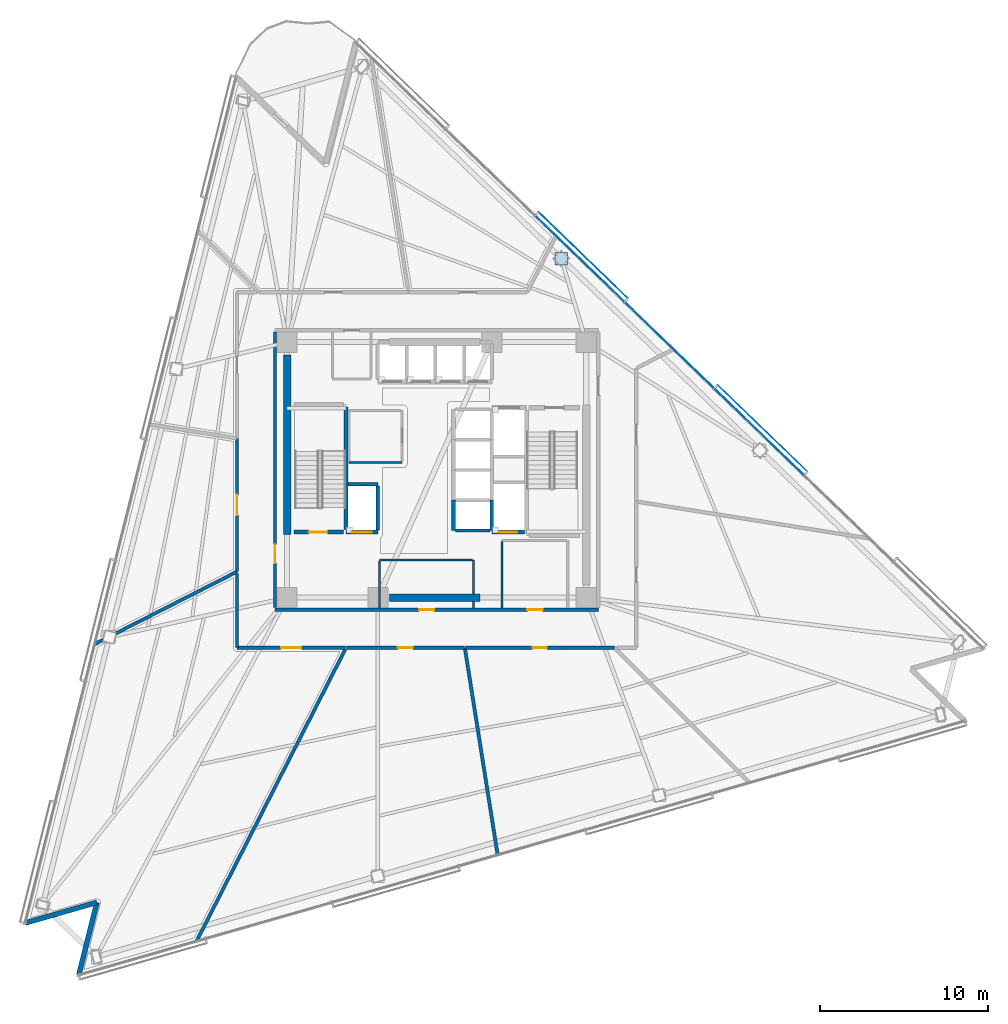
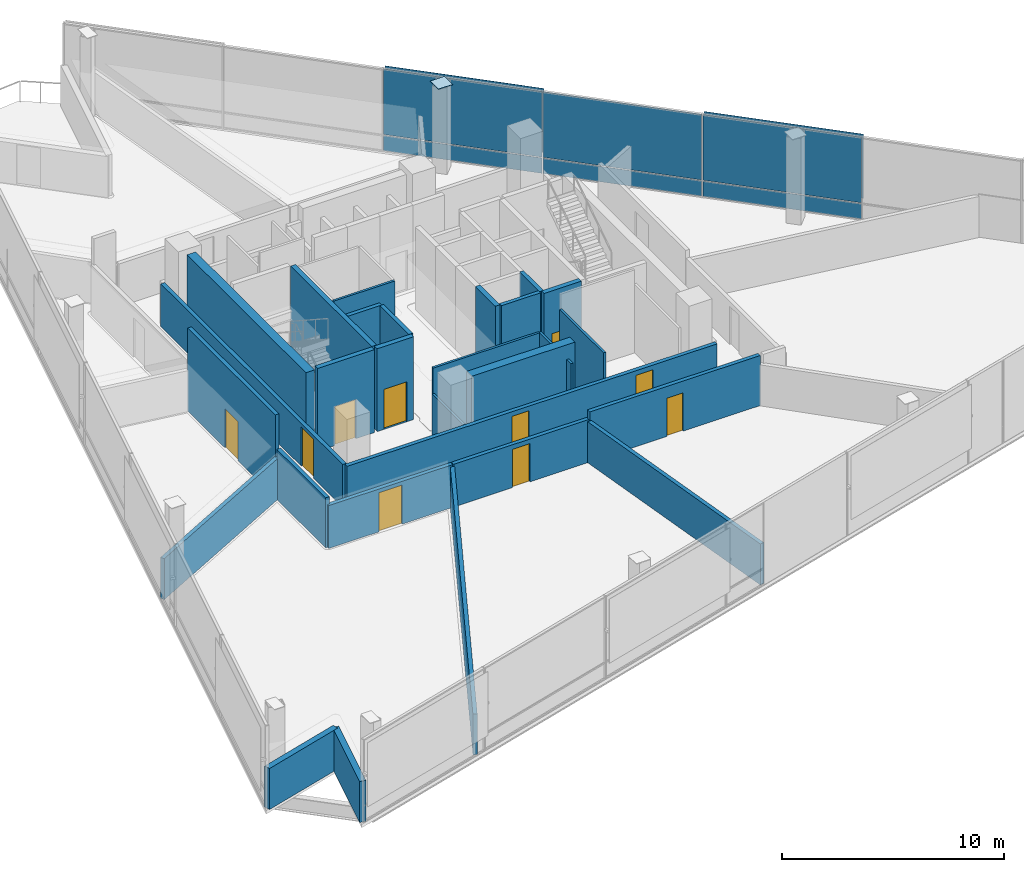
# One storey, part 9 of 18: 29 walls, 10 doors, 9 plates, 10 openings, 1 element without a shape of its own.
"""IFC4 building model written with IfcOpenShell, lengths in metres."""

from ifc_helpers import new_model, si_unit, direction, frame, frame_2d, origin, origin_2d, place, context, subcontext, project, spatial, rectangle, extrude, material, layer, layer_set, type_object, element, fill, aggregate, save


model = new_model("IFC4")

# Units and contexts
model_context = context("Model", 3, precision=1e-05, world=origin(), true_north=direction((0.0, 1.0)))
body_context = subcontext(model_context, "Body", "Model", "MODEL_VIEW")
ifc_project = project(units=[si_unit("LENGTHUNIT", "METRE"), si_unit("AREAUNIT", "SQUARE_METRE"), si_unit("VOLUMEUNIT", "CUBIC_METRE"), si_unit("PLANEANGLEUNIT", "RADIAN"), si_unit("MASSUNIT", "GRAM", prefix="KILO")], contexts=[model_context])

# Site, building, storey
site_placement = place(None, origin())
site = spatial("IfcSite", under=ifc_project, at=site_placement, CompositionType="ELEMENT")
building_placement = place(site_placement, origin())
building = spatial("IfcBuilding", under=site, at=building_placement, Name="Tharavind Bronze Gate", CompositionType="ELEMENT")
storey_placement = place(building_placement, frame((0.0, 0.0, 107.699951171875)))
storey = spatial("IfcBuildingStorey", under=building, at=storey_placement, Name="L27", CompositionType="ELEMENT", Elevation=107.699951171875)

# Plates
ifc_material_1 = material(Name="Perforated Bronze Alloy", Category="bronze")
ifc_layer_1 = layer(ifc_material_1, 0.011962890625)
ifc_layer_set_1 = layer_set([ifc_layer_1], Name="Perforated Bronze Alloy")
plate_type_1 = type_object("IfcPlateType", Name="BRONZE PERFORATED SOLAR SCREEN", PredefinedType="USERDEFINED", material=ifc_layer_set_1)
for number, where, z_axis, x_axis, name in (
    (1, (19.384521484375, 2.469482421875, 0.96630859375), (0.0, 0.0, 1.0), (-0.719341012745, 0.694657114973, 0.0), "CW-L27-S3 perforated bronze solar screen 3"),
    (2, (8.718017578125, 12.770263671875, 0.96630859375), (0.0, 0.0, 1.0), (-0.719341012745, 0.694657114973, 0.0), "CW-L27-S3 perforated bronze solar screen 5"),
):
    element("IfcPlate", number, at=place(storey_placement, frame(where, z_axis=z_axis, x_axis=x_axis)), inside=storey, type_object=plate_type_1, Name=name, ObjectType="SCREEN", PredefinedType="USERDEFINED", context=body_context, shape_type="SweptSolid", body=[
        extrude(rectangle(XDim=7.394287109375, YDim=0.011962890625, at=origin_2d()), origin(), (0.0, 0.0, 1.0), 3.527099609375),
    ])

# Curtain wall, plates
ifc_material_2 = material(Name="Anodised Bronze Aluminium", Category="aluminium")
ifc_layer_2 = layer(ifc_material_2, 0.219970703125)
ifc_layer_set_2 = layer_set([ifc_layer_2], Name="Anodised Bronze Aluminium")
curtain_wall_type = type_object("IfcCurtainWallType", Name="UNITISED CURTAIN WALL LOWER OFFICE", PredefinedType="USERDEFINED", material=ifc_layer_set_2)
curtain_wall_placement = place(storey_placement, origin())
curtain_wall = element("IfcCurtainWall", 3, at=curtain_wall_placement, inside=storey, type_object=curtain_wall_type, Name="L27 unitised curtain wall lower office CW-L27-S3", ObjectType="UNITISED CURTAIN WALL", PredefinedType="USERDEFINED")
ifc_material_3 = material(Name="Patinated Bronze Alloy Sheet", Category="bronze")
ifc_layer_3 = layer(ifc_material_3, 0.01611328125)
ifc_layer_set_3 = layer_set([ifc_layer_3], Name="Patinated Bronze Alloy Sheet")
plate_type_2 = type_object("IfcPlateType", Name="BRONZE SPANDREL CLADDING PANEL 16", PredefinedType="CURTAIN_PANEL", material=ifc_layer_set_3)
plate_1_placement = place(storey_placement, frame((19.1796875, 2.25732421875, 0.0263671875), z_axis=(0.0, 0.0, 1.0), x_axis=(-0.719341012745, 0.694657114973, 0.0)))
plate_1 = element("IfcPlate", 4, at=plate_1_placement, type_object=plate_type_2, Name="CW-L27-S3 bronze spandrel panel 3", PredefinedType="CURTAIN_PANEL", context=body_context, shape_type="SweptSolid", body=[
    extrude(rectangle(XDim=7.361083984375, YDim=0.01611328125, at=origin_2d()), origin(), (0.0, 0.0, 1.0), 0.846923828125),
])
plate_2_placement = place(storey_placement, frame((13.84619140625, 7.40771484375, 0.0263671875), z_axis=(0.0, 0.0, 1.0), x_axis=(-0.719341012745, 0.694657114973, 0.0)))
plate_2 = element("IfcPlate", 5, at=plate_2_placement, type_object=plate_type_2, Name="CW-L27-S3 bronze spandrel panel 4", PredefinedType="CURTAIN_PANEL", context=body_context, shape_type="SweptSolid", body=[
    extrude(rectangle(XDim=7.361083984375, YDim=0.01611328125, at=origin_2d()), origin(), (0.0, 0.0, 1.0), 0.846923828125),
])
plate_3_placement = place(storey_placement, frame((8.512939453125, 12.55810546875, 0.0263671875), z_axis=(0.0, 0.0, 1.0), x_axis=(-0.719341012745, 0.694657114973, 0.0)))
plate_3 = element("IfcPlate", 6, at=plate_3_placement, type_object=plate_type_2, Name="CW-L27-S3 bronze spandrel panel 5", PredefinedType="CURTAIN_PANEL", context=body_context, shape_type="SweptSolid", body=[
    extrude(rectangle(XDim=7.361083984375, YDim=0.01611328125, at=origin_2d()), origin(), (0.0, 0.0, 1.0), 0.846923828125),
])
ifc_material_4 = material(Name="Low-E Double Glazing", Category="glass")
ifc_layer_4 = layer(ifc_material_4, 0.031982421875)
ifc_layer_set_4 = layer_set([ifc_layer_4], Name="Low-E Double Glazing")
plate_type_3 = type_object("IfcPlateType", Name="DOUBLE GLAZED FACADE PANEL 32", PredefinedType="CURTAIN_PANEL", material=ifc_layer_set_4)
plate_4_placement = place(storey_placement, frame((19.1796875, 2.25732421875, 0.926513671875), z_axis=(0.0, 0.0, 1.0), x_axis=(-0.719341012745, 0.694657114973, 0.0)))
plate_4 = element("IfcPlate", 7, at=plate_4_placement, type_object=plate_type_3, Name="CW-L27-S3 vision glazing panel 3", PredefinedType="CURTAIN_PANEL", context=body_context, shape_type="SweptSolid", body=[
    extrude(rectangle(XDim=7.361083984375, YDim=0.031982421875, at=origin_2d()), origin(), (0.0, 0.0, 1.0), 3.60693359375),
])
plate_5_placement = place(storey_placement, frame((13.84619140625, 7.40771484375, 0.926513671875), z_axis=(0.0, 0.0, 1.0), x_axis=(-0.719341012745, 0.694657114973, 0.0)))
plate_5 = element("IfcPlate", 8, at=plate_5_placement, type_object=plate_type_3, Name="CW-L27-S3 vision glazing panel 4", PredefinedType="CURTAIN_PANEL", context=body_context, shape_type="SweptSolid", body=[
    extrude(rectangle(XDim=7.361083984375, YDim=0.031982421875, at=origin_2d()), origin(), (0.0, 0.0, 1.0), 3.60693359375),
])
plate_6_placement = place(storey_placement, frame((8.512939453125, 12.55810546875, 0.926513671875), z_axis=(0.0, 0.0, 1.0), x_axis=(-0.719341012745, 0.694657114973, 0.0)))
plate_6 = element("IfcPlate", 9, at=plate_6_placement, type_object=plate_type_3, Name="CW-L27-S3 vision glazing panel 5", PredefinedType="CURTAIN_PANEL", context=body_context, shape_type="SweptSolid", body=[
    extrude(rectangle(XDim=7.361083984375, YDim=0.031982421875, at=origin_2d()), origin(), (0.0, 0.0, 1.0), 3.60693359375),
])
aggregate(curtain_wall, [plate_1, plate_4, plate_2, plate_5, plate_3, plate_6])

# Plate
ifc_material_5 = material(Name="Steel S460", Category="steel")
ifc_layer_5 = layer(ifc_material_5, 0.02490234375)
ifc_layer_set_5 = layer_set([ifc_layer_5], Name="Steel S460")
plate_type_4 = type_object("IfcPlateType", Name="STEEL END CAP SHEET 25", PredefinedType="SHEET", material=ifc_layer_set_5)
plate_7_placement = place(storey_placement, frame((7.41455078125, 12.576171875, 4.737548828125), z_axis=(0.0, 0.0, 1.0), x_axis=(1.0, 0.0, 0.0)))
element("IfcPlate", 10, at=plate_7_placement, inside=storey, type_object=plate_type_4, Name="Steel end cap plate CAP-COLT-L27-S3C3", PredefinedType="SHEET", context=body_context, shape_type="SweptSolid", body=[
    extrude(rectangle(XDim=0.7451171875, YDim=0.7451171875, at=origin_2d()), origin(), (0.0, 0.0, 1.0), 0.02490234375),
])

# Walls
ifc_material_6 = material(Name="Concrete C40/50", Category="concrete")
ifc_layer_6 = layer(ifc_material_6, 0.300048828125)
ifc_layer_set_6 = layer_set([ifc_layer_6], Name="Concrete C40/50")
wall_type_1 = type_object("IfcWallType", Name="EXTERIOR SPANDREL WALL 300", PredefinedType="STANDARD", material=ifc_layer_set_6)
wall_1_placement = place(storey_placement, frame((-24.4892578125, -26.963623046875, 0.0), z_axis=(0.0, 0.0, 1.0), x_axis=(0.961259988927, 0.275643308803, 0.0)))
element("IfcWall", 11, at=wall_1_placement, inside=storey, type_object=wall_type_1, Name="L27 notch cheek wall 2A", PredefinedType="STANDARD", context=body_context, shape_type="SweptSolid", body=[
    extrude(rectangle(XDim=4.440185546875, YDim=0.300048828125, at=frame_2d((2.22021484375, 0.0))), origin(), (0.0, 0.0, 1.0), 2.255126953125),
])
wall_2_placement = place(storey_placement, frame((-20.22119140625, -25.73974609375, 0.0), z_axis=(0.0, 0.0, 1.0), x_axis=(-0.241940431812, -0.970291104491, 0.0)))
element("IfcWall", 12, at=wall_2_placement, inside=storey, type_object=wall_type_1, Name="L27 notch cheek wall 2B", PredefinedType="STANDARD", context=body_context, shape_type="SweptSolid", body=[
    extrude(rectangle(XDim=4.43994140625, YDim=0.300048828125, at=frame_2d((2.219970703125, 0.0))), origin(), (0.0, 0.0, 1.0), 2.255126953125),
])

# Wall, openings, doors
ifc_material_7 = material(Name="Aerated Concrete Block", Category="concrete")
ifc_layer_7 = layer(ifc_material_7, 0.199951171875)
ifc_layer_set_7 = layer_set([ifc_layer_7], Name="Aerated Concrete Block")
wall_type_2 = type_object("IfcWallType", Name="FIRE RATED PARTITION 200", PredefinedType="PARTITIONING", material=ifc_layer_set_7)
wall_3_placement = place(storey_placement, frame((-9.6201171875, -8.320068359375, 0.0), z_axis=(0.0, 0.0, 1.0), x_axis=(1.0, 0.0, 0.0)))
wall_3 = element("IfcWall", 13, at=wall_3_placement, inside=storey, type_object=wall_type_2, Name="L27 south core corridor wall", PredefinedType="PARTITIONING", context=body_context, shape_type="SweptSolid", body=[
    extrude(rectangle(XDim=19.240234375, YDim=0.199951171875, at=frame_2d((9.6201171875, 0.0))), origin(), (0.0, 0.0, 1.0), 2.35498046875),
])
opening_1_placement = place(wall_3_placement, frame((8.570068359375, 0.0, 0.0)))
opening_1 = element("IfcOpeningElement", 14, at=opening_1_placement, cuts=wall_3, Name="Opening ID07", PredefinedType="OPENING", context=body_context, shape_type="SweptSolid", body=[
    extrude(rectangle(XDim=0.89990234375, YDim=2.10009765625, at=frame_2d((0.449951171875, 1.050048828125))), frame((0.0, 0.11009765625, 0.0), z_axis=(0.0, -1.0, 0.0), x_axis=(1.0, 0.0, 0.0)), (0.0, 0.0, 1.0), 0.219951171875),
])
opening_2_placement = place(wall_3_placement, frame((15.02001953125, 0.0, 0.0)))
opening_2 = element("IfcOpeningElement", 15, at=opening_2_placement, cuts=wall_3, Name="Opening ID07", PredefinedType="OPENING", context=body_context, shape_type="SweptSolid", body=[
    extrude(rectangle(XDim=0.89990234375, YDim=2.10009765625, at=frame_2d((0.449951171875, 1.050048828125))), frame((0.0, 0.11009765625, 0.0), z_axis=(0.0, -1.0, 0.0), x_axis=(1.0, 0.0, 0.0)), (0.0, 0.0, 1.0), 0.219951171875),
])
ifc_material_8 = material(Name="Galvanised Fire Steel", Category="steel")
door_type_1 = type_object("IfcDoorType", Name="PLANT AND RISER FIRE DOOR 900X2100", OperationType="SINGLE_SWING_LEFT", PredefinedType="DOOR", material=ifc_material_8)
door_1_placement = place(opening_1_placement, origin())
door_1 = element("IfcDoor", 16, at=door_1_placement, inside=storey, type_object=door_type_1, Name="L27 Core BMS Control Room fire door", OperationType="SINGLE_SWING_LEFT", OverallHeight=2.10009765625, OverallWidth=0.89990234375, PredefinedType="DOOR", context=body_context, shape_type="SweptSolid", body=[
    extrude(rectangle(XDim=0.89990234375, YDim=2.10009765625, at=frame_2d((0.449951171875, 1.050048828125))), frame((0.0, 0.02490234375, 0.0), z_axis=(0.0, -1.0, 0.0), x_axis=(1.0, 0.0, 0.0)), (0.0, 0.0, 1.0), 0.050048828125),
])
fill(opening_1, door_1)
door_2_placement = place(opening_2_placement, origin())
door_2 = element("IfcDoor", 17, at=door_2_placement, inside=storey, type_object=door_type_1, Name="L27 Telecom Metering Room fire door", OperationType="SINGLE_SWING_LEFT", OverallHeight=2.10009765625, OverallWidth=0.89990234375, PredefinedType="DOOR", context=body_context, shape_type="SweptSolid", body=[
    extrude(rectangle(XDim=0.89990234375, YDim=2.10009765625, at=frame_2d((0.449951171875, 1.050048828125))), frame((0.0, 0.02490234375, 0.0), z_axis=(0.0, -1.0, 0.0), x_axis=(1.0, 0.0, 0.0)), (0.0, 0.0, 1.0), 0.050048828125),
])
fill(opening_2, door_2)

# Wall, opening, door
wall_4_placement = place(storey_placement, frame((-9.6201171875, 8.199951171875, 0.0), z_axis=(0.0, 0.0, 1.0), x_axis=(0.0, -1.0, 0.0)))
wall_4 = element("IfcWall", 18, at=wall_4_placement, inside=storey, type_object=wall_type_2, Name="L27 west core corridor wall", PredefinedType="PARTITIONING", context=body_context, shape_type="SweptSolid", body=[
    extrude(rectangle(XDim=16.39990234375, YDim=0.199951171875, at=frame_2d((8.199951171875, 0.0))), origin(), (0.0, 0.0, 1.0), 2.35498046875),
])
opening_3_placement = place(wall_4_placement, frame((12.64990234375, 0.0, 0.0)))
opening_3 = element("IfcOpeningElement", 19, at=opening_3_placement, cuts=wall_4, Name="Opening ID01", PredefinedType="OPENING", context=body_context, shape_type="SweptSolid", body=[
    extrude(rectangle(XDim=1.10009765625, YDim=2.14990234375, at=frame_2d((0.550048828125, 1.074951171875))), frame((0.0, 0.11009765625, 0.0), z_axis=(0.0, -1.0, 0.0), x_axis=(1.0, 0.0, 0.0)), (0.0, 0.0, 1.0), 0.219951171875),
])
ifc_material_9 = material(Name="Fire-Rated Steel", Category="steel")
door_type_2 = type_object("IfcDoorType", Name="STAIR CORE FIRE DOOR 1100X2150", OperationType="SINGLE_SWING_LEFT", PredefinedType="DOOR", material=ifc_material_9)
door_3_placement = place(opening_3_placement, frame((1.10009765625, 0.0, 0.0), z_axis=(0.0, 0.0, 1.0), x_axis=(-1.0, 0.0, 0.0)))
door_3 = element("IfcDoor", 20, at=door_3_placement, inside=storey, type_object=door_type_2, Name="L27 south west stair lobby fire door", OperationType="SINGLE_SWING_LEFT", OverallHeight=2.14990234375, OverallWidth=1.10009765625, PredefinedType="DOOR", context=body_context, shape_type="SweptSolid", body=[
    extrude(rectangle(XDim=1.10009765625, YDim=2.14990234375, at=frame_2d((0.550048828125, 1.074951171875))), frame((0.0, 0.02490234375, 0.0), z_axis=(0.0, -1.0, 0.0), x_axis=(1.0, 0.0, 0.0)), (0.0, 0.0, 1.0), 0.050048828125),
])
fill(opening_3, door_3)

# Wall
wall_5_placement = place(storey_placement, frame((3.622802734375, -22.873291015625, 0.0), z_axis=(0.0, 0.0, 1.0), x_axis=(-0.156425980471, 0.987689684382, 0.0)))
element("IfcWall", 21, at=wall_5_placement, inside=storey, type_object=wall_type_2, Name="L27 Public Restrooms Block partition", PredefinedType="PARTITIONING", context=body_context, shape_type="SweptSolid", body=[
    extrude(rectangle(XDim=12.417236328125, YDim=0.199951171875, at=frame_2d((6.20849609375, 0.0))), origin(), (0.0, 0.0, 1.0), 2.255126953125),
])

# Wall, opening, door
wall_6_placement = place(storey_placement, frame((1.705078125, -10.580078125, 0.0), z_axis=(0.0, 0.0, 1.0), x_axis=(1.0, 0.0, 0.0)))
wall_6 = element("IfcWall", 22, at=wall_6_placement, inside=storey, type_object=wall_type_2, Name="L27 Public Restrooms Block partition", PredefinedType="PARTITIONING", context=body_context, shape_type="SweptSolid", body=[
    extrude(rectangle(XDim=8.864501953125, YDim=0.199951171875, at=frame_2d((4.43212890625, 0.0))), origin(), (0.0, 0.0, 1.0), 2.755126953125),
])
opening_4_placement = place(wall_6_placement, frame((4.007080078125, 0.0, 0.0)))
opening_4 = element("IfcOpeningElement", 23, at=opening_4_placement, cuts=wall_6, Name="Opening ID06", PredefinedType="OPENING", context=body_context, shape_type="SweptSolid", body=[
    extrude(rectangle(XDim=0.85009765625, YDim=2.10009765625, at=frame_2d((0.425048828125, 1.050048828125))), frame((0.0, 0.11009765625, 0.0), z_axis=(0.0, -1.0, 0.0), x_axis=(1.0, 0.0, 0.0)), (0.0, 0.0, 1.0), 0.219951171875),
])
ifc_material_10 = material(Name="Moisture-Resistant Timber", Category="wood")
door_type_3 = type_object("IfcDoorType", Name="BATHROOM PRIVACY DOOR 850X2100", OperationType="SINGLE_SWING_RIGHT", PredefinedType="DOOR", material=ifc_material_10)
door_4_placement = place(opening_4_placement, origin())
door_4 = element("IfcDoor", 24, at=door_4_placement, inside=storey, type_object=door_type_3, Name="L27 Public Restrooms Block door", OperationType="SINGLE_SWING_RIGHT", OverallHeight=2.10009765625, OverallWidth=0.85009765625, PredefinedType="DOOR", context=body_context, shape_type="SweptSolid", body=[
    extrude(rectangle(XDim=0.85009765625, YDim=2.10009765625, at=frame_2d((0.425048828125, 1.050048828125))), frame((0.0, 0.02490234375, 0.0), z_axis=(0.0, -1.0, 0.0), x_axis=(1.0, 0.0, 0.0)), (0.0, 0.0, 1.0), 0.050048828125),
])
fill(opening_4, door_4)

wall_7_placement = place(storey_placement, frame((-11.8798828125, 1.8603515625, 0.0), z_axis=(0.0, 0.0, 1.0), x_axis=(0.0, -1.0, 0.0)))
wall_7 = element("IfcWall", 25, at=wall_7_placement, inside=storey, type_object=wall_type_2, Name="L27 Risk Review Room partition", PredefinedType="PARTITIONING", context=body_context, shape_type="SweptSolid", body=[
    extrude(rectangle(XDim=7.898193359375, YDim=0.199951171875, at=frame_2d((3.94921875, 0.0))), origin(), (0.0, 0.0, 1.0), 4.56005859375),
])
opening_5_placement = place(wall_7_placement, frame((3.34912109375, 0.0, 0.0)))
opening_5 = element("IfcOpeningElement", 26, at=opening_5_placement, cuts=wall_7, Name="Opening ID05", PredefinedType="OPENING", context=body_context, shape_type="SweptSolid", body=[
    extrude(rectangle(XDim=1.199951171875, YDim=2.14990234375, at=frame_2d((0.60009765625, 1.074951171875))), frame((0.0, 0.11009765625, 0.0), z_axis=(0.0, -1.0, 0.0), x_axis=(1.0, 0.0, 0.0)), (0.0, 0.0, 1.0), 0.219951171875),
])
ifc_material_11 = material(Name="Acoustic Laminated Glass", Category="glass")
door_type_4 = type_object("IfcDoorType", Name="MEETING ROOM GLAZED DOOR 1200X2150", OperationType="SINGLE_SWING_LEFT", PredefinedType="DOOR", material=ifc_material_11)
door_5_placement = place(opening_5_placement, origin())
door_5 = element("IfcDoor", 27, at=door_5_placement, inside=storey, type_object=door_type_4, Name="L27 Risk Review Room door", OperationType="SINGLE_SWING_LEFT", OverallHeight=2.14990234375, OverallWidth=1.199951171875, PredefinedType="DOOR", context=body_context, shape_type="SweptSolid", body=[
    extrude(rectangle(XDim=1.199951171875, YDim=2.14990234375, at=frame_2d((0.60009765625, 1.074951171875))), frame((0.0, 0.02490234375, 0.0), z_axis=(0.0, -1.0, 0.0), x_axis=(1.0, 0.0, 0.0)), (0.0, 0.0, 1.0), 0.050048828125),
])
fill(opening_5, door_5)

# Walls
wall_8_placement = place(storey_placement, frame((-11.893798828125, -6.06005859375, 0.0), z_axis=(0.0, 0.0, 1.0), x_axis=(-0.891001418235, -0.454000520598, 0.0)))
element("IfcWall", 28, at=wall_8_placement, inside=storey, type_object=wall_type_2, Name="L27 Risk Review Room partition", PredefinedType="PARTITIONING", context=body_context, shape_type="SweptSolid", body=[
    extrude(rectangle(XDim=9.492919921875, YDim=0.199951171875, at=frame_2d((4.74658203125, 0.0))), origin(), (0.0, 0.0, 1.0), 2.255126953125),
])
wall_9_placement = place(storey_placement, frame((-11.8798828125, -6.1708984375, 0.0), z_axis=(0.0, 0.0, 1.0), x_axis=(0.0, -1.0, 0.0)))
element("IfcWall", 29, at=wall_9_placement, inside=storey, type_object=wall_type_2, Name="L27 Model Audit Room partition", PredefinedType="PARTITIONING", context=body_context, shape_type="SweptSolid", body=[
    extrude(rectangle(XDim=4.408447265625, YDim=0.199951171875, at=frame_2d((2.2041015625, 0.0))), origin(), (0.0, 0.0, 1.0), 2.755126953125),
])

# Wall, opening, door
wall_10_placement = place(storey_placement, frame((-11.87939453125, -10.580078125, 0.0), z_axis=(0.0, 0.0, 1.0), x_axis=(1.0, 0.0, 0.0)))
wall_10 = element("IfcWall", 30, at=wall_10_placement, inside=storey, type_object=wall_type_2, Name="L27 Model Audit Room partition", PredefinedType="PARTITIONING", context=body_context, shape_type="SweptSolid", body=[
    extrude(rectangle(XDim=6.44775390625, YDim=0.199951171875, at=frame_2d((3.223876953125, 0.0))), origin(), (0.0, 0.0, 1.0), 2.35498046875),
])
opening_6_placement = place(wall_10_placement, frame((2.6240234375, 0.0, 0.0)))
opening_6 = element("IfcOpeningElement", 31, at=opening_6_placement, cuts=wall_10, Name="Opening ID05", PredefinedType="OPENING", context=body_context, shape_type="SweptSolid", body=[
    extrude(rectangle(XDim=1.199951171875, YDim=2.14990234375, at=frame_2d((0.60009765625, 1.074951171875))), frame((0.0, 0.11009765625, 0.0), z_axis=(0.0, -1.0, 0.0), x_axis=(1.0, 0.0, 0.0)), (0.0, 0.0, 1.0), 0.219951171875),
])
door_6_placement = place(opening_6_placement, origin())
door_6 = element("IfcDoor", 32, at=door_6_placement, inside=storey, type_object=door_type_4, Name="L27 Model Audit Room door", OperationType="SINGLE_SWING_LEFT", OverallHeight=2.14990234375, OverallWidth=1.199951171875, PredefinedType="DOOR", context=body_context, shape_type="SweptSolid", body=[
    extrude(rectangle(XDim=1.199951171875, YDim=2.14990234375, at=frame_2d((0.60009765625, 1.074951171875))), frame((0.0, 0.02490234375, 0.0), z_axis=(0.0, -1.0, 0.0), x_axis=(1.0, 0.0, 0.0)), (0.0, 0.0, 1.0), 0.050048828125),
])
fill(opening_6, door_6)

# Wall
wall_11_placement = place(storey_placement, frame((-5.4443359375, -10.68505859375, 0.0), z_axis=(0.0, 0.0, 1.0), x_axis=(-0.453983839292, -0.891009917824, 0.0)))
element("IfcWall", 33, at=wall_11_placement, inside=storey, type_object=wall_type_2, Name="L27 Model Audit Room partition", PredefinedType="PARTITIONING", context=body_context, shape_type="SweptSolid", body=[
    extrude(rectangle(XDim=19.46484375, YDim=0.199951171875, at=frame_2d((9.732421875, 0.0))), origin(), (0.0, 0.0, 1.0), 2.255126953125),
])

# Wall, opening, door
wall_12_placement = place(storey_placement, frame((-5.37548828125, -10.580078125, 0.0), z_axis=(0.0, 0.0, 1.0), x_axis=(1.0, 0.0, 0.0)))
wall_12 = element("IfcWall", 34, at=wall_12_placement, inside=storey, type_object=wall_type_2, Name="L27 Data Server Room partition", PredefinedType="PARTITIONING", context=body_context, shape_type="SweptSolid", body=[
    extrude(rectangle(XDim=7.02978515625, YDim=0.199951171875, at=frame_2d((3.514892578125, 0.0))), origin(), (0.0, 0.0, 1.0), 2.35498046875),
])
opening_7_placement = place(wall_12_placement, frame((3.06494140625, 0.0, 0.0)))
opening_7 = element("IfcOpeningElement", 35, at=opening_7_placement, cuts=wall_12, Name="Opening ID07", PredefinedType="OPENING", context=body_context, shape_type="SweptSolid", body=[
    extrude(rectangle(XDim=0.89990234375, YDim=2.10009765625, at=frame_2d((0.449951171875, 1.050048828125))), frame((0.0, 0.11009765625, 0.0), z_axis=(0.0, -1.0, 0.0), x_axis=(1.0, 0.0, 0.0)), (0.0, 0.0, 1.0), 0.219951171875),
])
door_7_placement = place(opening_7_placement, origin())
door_7 = element("IfcDoor", 36, at=door_7_placement, inside=storey, type_object=door_type_1, Name="L27 Data Server Room door", OperationType="SINGLE_SWING_LEFT", OverallHeight=2.10009765625, OverallWidth=0.89990234375, PredefinedType="DOOR", context=body_context, shape_type="SweptSolid", body=[
    extrude(rectangle(XDim=0.89990234375, YDim=2.10009765625, at=frame_2d((0.449951171875, 1.050048828125))), frame((0.0, 0.02490234375, 0.0), z_axis=(0.0, -1.0, 0.0), x_axis=(1.0, 0.0, 0.0)), (0.0, 0.0, 1.0), 0.050048828125),
])
fill(opening_7, door_7)

# Walls
ifc_material_12 = material(Name="Metal Stud Gypsum Partition", Category="gypsum")
ifc_layer_8 = layer(ifc_material_12, 0.1201171875)
ifc_layer_set_8 = layer_set([ifc_layer_8], Name="Metal Stud Gypsum Partition")
wall_type_3 = type_object("IfcWallType", Name="INTERIOR PARTITION WALL 120", PredefinedType="PARTITIONING", material=ifc_layer_set_8)
wall_13_placement = place(storey_placement, frame((-5.219970703125, 0.449951171875, 0.0), z_axis=(0.0, 0.0, 1.0), x_axis=(1.0, 0.0, 0.0)))
element("IfcWall", 37, at=wall_13_placement, inside=storey, type_object=wall_type_3, Name="L27 Electrical & Telecom Store partition 1", PredefinedType="PARTITIONING", context=body_context, shape_type="SweptSolid", body=[
    extrude(rectangle(XDim=3.169921875, YDim=0.1201171875, at=frame_2d((1.5849609375, 0.0))), origin(), (0.0, 0.0, 1.0), 4.56005859375),
])
wall_14_placement = place(storey_placement, frame((2.199951171875, -8.215087890625, 0.0), z_axis=(0.0, 0.0, 1.0), x_axis=(0.0, 1.0, 0.0)))
element("IfcWall", 38, at=wall_14_placement, inside=storey, type_object=wall_type_3, Name="L27 Core BMS Control Room partition 2", PredefinedType="PARTITIONING", context=body_context, shape_type="SweptSolid", body=[
    extrude(rectangle(XDim=0.385009765625, YDim=0.1201171875, at=frame_2d((0.1923828125, 0.0))), origin(), (0.0, 0.0, 1.0), 3.755126953125),
])
wall_15_placement = place(storey_placement, frame((2.199951171875, -7.3701171875, 0.0), z_axis=(0.0, 0.0, 1.0), x_axis=(0.0, 1.0, 0.0)))
element("IfcWall", 39, at=wall_15_placement, inside=storey, type_object=wall_type_3, Name="L27 Core BMS Control Room partition 2", PredefinedType="PARTITIONING", context=body_context, shape_type="SweptSolid", body=[
    extrude(rectangle(XDim=2.02001953125, YDim=0.1201171875, at=frame_2d((1.010009765625, 0.0))), origin(), (0.0, 0.0, 1.0), 3.755126953125),
])
wall_16_placement = place(storey_placement, frame((2.135009765625, -5.35009765625, 0.0), z_axis=(0.0, 0.0, 1.0), x_axis=(-1.0, 0.0, 0.0)))
element("IfcWall", 40, at=wall_16_placement, inside=storey, type_object=wall_type_3, Name="L27 Core BMS Control Room partition 3", PredefinedType="PARTITIONING", context=body_context, shape_type="SweptSolid", body=[
    extrude(rectangle(XDim=5.534912109375, YDim=0.1201171875, at=frame_2d((2.767578125, 0.0))), origin(), (0.0, 0.0, 1.0), 3.755126953125),
])
wall_17_placement = place(storey_placement, frame((-3.39990234375, -5.4150390625, 0.0), z_axis=(0.0, 0.0, 1.0), x_axis=(0.0, -1.0, 0.0)))
element("IfcWall", 41, at=wall_17_placement, inside=storey, type_object=wall_type_3, Name="L27 Core BMS Control Room partition 4", PredefinedType="PARTITIONING", context=body_context, shape_type="SweptSolid", body=[
    extrude(rectangle(XDim=2.800048828125, YDim=0.1201171875, at=frame_2d((1.39990234375, 0.0))), origin(), (0.0, 0.0, 1.0), 2.35498046875),
])
wall_18_placement = place(storey_placement, frame((3.89990234375, -4.264892578125, 0.0), z_axis=(0.0, 0.0, 1.0), x_axis=(0.0, -1.0, 0.0)))
element("IfcWall", 42, at=wall_18_placement, inside=storey, type_object=wall_type_3, Name="L27 Telecom Metering Room partition 4", PredefinedType="PARTITIONING", context=body_context, shape_type="SweptSolid", body=[
    extrude(rectangle(XDim=3.9501953125, YDim=0.1201171875, at=frame_2d((1.97509765625, 0.0))), origin(), (0.0, 0.0, 1.0), 3.755126953125),
])
ifc_material_13 = material(Name="Concrete C50/60", Category="concrete")
ifc_layer_9 = layer(ifc_material_13, 0.25)
ifc_layer_set_9 = layer_set([ifc_layer_9], Name="Concrete C50/60")
wall_type_4 = type_object("IfcWallType", Name="RC CORE SHEAR WALL 250", PredefinedType="SHEAR", material=ifc_layer_set_9)
wall_19_placement = place(storey_placement, frame((-5.39990234375, -3.550048828125, 0.0), z_axis=(0.0, 0.0, 1.0), x_axis=(0.0, 1.0, 0.0)))
element("IfcWall", 43, at=wall_19_placement, inside=storey, type_object=wall_type_4, Name="L27 ST1 shaft east wall", PredefinedType="SHEAR", context=body_context, shape_type="SweptSolid", body=[
    extrude(rectangle(XDim=7.300048828125, YDim=0.25, at=frame_2d((3.64990234375, 0.0))), origin(), (0.0, 0.0, 1.0), 4.56005859375),
])

# Wall, opening, door
wall_20_placement = place(storey_placement, frame((-8.5, -3.699951171875, 0.0), z_axis=(0.0, 0.0, 1.0), x_axis=(1.0, 0.0, 0.0)))
wall_20 = element("IfcWall", 44, at=wall_20_placement, inside=storey, type_object=wall_type_4, Name="L27 ST1 shaft south wall", PredefinedType="SHEAR", context=body_context, shape_type="SweptSolid", body=[
    extrude(rectangle(XDim=2.949951171875, YDim=0.25, at=frame_2d((1.47509765625, 0.0))), origin(), (0.0, 0.0, 1.0), 4.56005859375),
])
opening_8_placement = place(wall_20_placement, frame((0.89990234375, 0.0, 0.0)))
opening_8 = element("IfcOpeningElement", 45, at=opening_8_placement, cuts=wall_20, Name="Opening ID01", PredefinedType="OPENING", context=body_context, shape_type="SweptSolid", body=[
    extrude(rectangle(XDim=1.10009765625, YDim=2.14990234375, at=frame_2d((0.550048828125, 1.074951171875))), frame((0.0, 0.135, 0.0), z_axis=(0.0, -1.0, 0.0), x_axis=(1.0, 0.0, 0.0)), (0.0, 0.0, 1.0), 0.27),
])
door_8_placement = place(opening_8_placement, origin())
door_8 = element("IfcDoor", 46, at=door_8_placement, inside=storey, type_object=door_type_2, Name="L27 exit stair ST1 fire door", OperationType="SINGLE_SWING_LEFT", OverallHeight=2.14990234375, OverallWidth=1.10009765625, PredefinedType="DOOR", context=body_context, shape_type="SweptSolid", body=[
    extrude(rectangle(XDim=1.10009765625, YDim=2.14990234375, at=frame_2d((0.550048828125, 1.074951171875))), frame((0.0, 0.02490234375, 0.0), z_axis=(0.0, -1.0, 0.0), x_axis=(1.0, 0.0, 0.0)), (0.0, 0.0, 1.0), 0.050048828125),
])
fill(opening_8, door_8)

# Wall
wall_21_placement = place(storey_placement, frame((1.0, -3.60009765625, 0.0), z_axis=(0.0, 0.0, 1.0), x_axis=(0.0, 1.0, 0.0)))
element("IfcWall", 47, at=wall_21_placement, inside=storey, type_object=wall_type_4, Name="L27 lift PL9 shaft front wall", PredefinedType="SHEAR", context=body_context, shape_type="SweptSolid", body=[
    extrude(rectangle(XDim=1.800048828125, YDim=0.25, at=frame_2d((0.89990234375, 0.0))), origin(), (0.0, 0.0, 1.0), 4.56005859375),
])

# Wall, opening, door
wall_22_placement = place(storey_placement, frame((-5.39990234375, -3.699951171875, 0.0), z_axis=(0.0, 0.0, 1.0), x_axis=(1.0, 0.0, 0.0)))
wall_22 = element("IfcWall", 48, at=wall_22_placement, inside=storey, type_object=wall_type_4, Name="L27 lift FFL1 shaft front wall", PredefinedType="SHEAR", context=body_context, shape_type="SweptSolid", body=[
    extrude(rectangle(XDim=1.89990234375, YDim=0.25, at=frame_2d((0.949951171875, 0.0))), origin(), (0.0, 0.0, 1.0), 4.56005859375),
])
opening_9_placement = place(wall_22_placement, frame((0.35009765625, 0.0, 0.0)))
opening_9 = element("IfcOpeningElement", 49, at=opening_9_placement, cuts=wall_22, Name="Opening LD02", PredefinedType="OPENING", context=body_context, shape_type="SweptSolid", body=[
    extrude(rectangle(XDim=1.199951171875, YDim=2.199951171875, at=frame_2d((0.60009765625, 1.10009765625))), frame((0.0, 0.135, 0.0), z_axis=(0.0, -1.0, 0.0), x_axis=(1.0, 0.0, 0.0)), (0.0, 0.0, 1.0), 0.27),
])
ifc_material_14 = material(Name="Brushed Stainless Steel", Category="steel")
door_type_5 = type_object("IfcDoorType", Name="FIREFIGHTING LIFT LANDING DOOR 1200X2200", OperationType="SLIDING_TO_RIGHT", PredefinedType="DOOR", material=ifc_material_14)
door_9_placement = place(opening_9_placement, origin())
door_9 = element("IfcDoor", 50, at=door_9_placement, inside=storey, type_object=door_type_5, Name="L27 lift FFL1 sliding landing door", OperationType="SLIDING_TO_RIGHT", OverallHeight=2.199951171875, OverallWidth=1.199951171875, PredefinedType="DOOR", context=body_context, shape_type="SweptSolid", body=[
    extrude(rectangle(XDim=1.199951171875, YDim=2.199951171875, at=frame_2d((0.60009765625, 1.10009765625))), frame((0.0, 0.02490234375, 0.0), z_axis=(0.0, -1.0, 0.0), x_axis=(1.0, 0.0, 0.0)), (0.0, 0.0, 1.0), 0.050048828125),
])
fill(opening_9, door_9)

wall_23_placement = place(storey_placement, frame((3.280029296875, -3.699951171875, 0.0), z_axis=(0.0, 0.0, 1.0), x_axis=(1.0, 0.0, 0.0)))
wall_23 = element("IfcWall", 51, at=wall_23_placement, inside=storey, type_object=wall_type_4, Name="L27 lift SVL1 shaft front wall", PredefinedType="SHEAR", context=body_context, shape_type="SweptSolid", body=[
    extrude(rectangle(XDim=1.93994140625, YDim=0.25, at=frame_2d((0.969970703125, 0.0))), origin(), (0.0, 0.0, 1.0), 4.56005859375),
])
opening_10_placement = place(wall_23_placement, frame((0.419921875, 0.0, 0.0)))
opening_10 = element("IfcOpeningElement", 52, at=opening_10_placement, cuts=wall_23, Name="Opening LD01", PredefinedType="OPENING", context=body_context, shape_type="SweptSolid", body=[
    extrude(rectangle(XDim=1.10009765625, YDim=2.199951171875, at=frame_2d((0.550048828125, 1.10009765625))), frame((0.0, 0.135, 0.0), z_axis=(0.0, -1.0, 0.0), x_axis=(1.0, 0.0, 0.0)), (0.0, 0.0, 1.0), 0.27),
])
ifc_material_15 = material(Name="Brushed Bronze Stainless Steel", Category="steel")
door_type_6 = type_object("IfcDoorType", Name="LIFT LANDING SLIDING DOOR 1100X2200", OperationType="SLIDING_TO_LEFT", PredefinedType="DOOR", material=ifc_material_15)
door_10_placement = place(opening_10_placement, origin())
door_10 = element("IfcDoor", 53, at=door_10_placement, inside=storey, type_object=door_type_6, Name="L27 lift SVL1 sliding landing door", OperationType="SLIDING_TO_LEFT", OverallHeight=2.199951171875, OverallWidth=1.10009765625, PredefinedType="DOOR", context=body_context, shape_type="SweptSolid", body=[
    extrude(rectangle(XDim=1.10009765625, YDim=2.199951171875, at=frame_2d((0.550048828125, 1.10009765625))), frame((0.0, 0.02490234375, 0.0), z_axis=(0.0, -1.0, 0.0), x_axis=(1.0, 0.0, 0.0)), (0.0, 0.0, 1.0), 0.050048828125),
])
fill(opening_10, door_10)

# Walls
ifc_material_16 = material(Name="Concrete C60/75", Category="concrete")
ifc_layer_10 = layer(ifc_material_16, 0.449951171875)
ifc_layer_set_10 = layer_set([ifc_layer_10], Name="Concrete C60/75")
wall_type_5 = type_object("IfcWallType", Name="RC CORE SHEAR WALL 450", PredefinedType="SHEAR", material=ifc_layer_set_10)
wall_24_placement = place(storey_placement, frame((-2.800048828125, -7.60009765625, 0.0), z_axis=(0.0, 0.0, 1.0), x_axis=(1.0, 0.0, 0.0)))
element("IfcWall", 54, at=wall_24_placement, inside=storey, type_object=wall_type_5, Name="L27 south core shear wall", PredefinedType="SHEAR", context=body_context, shape_type="SweptSolid", body=[
    extrude(rectangle(XDim=5.380126953125, YDim=0.449951171875, at=frame_2d((2.68994140625, 0.0))), origin(), (0.0, 0.0, 1.0), 4.56005859375),
])
wall_25_placement = place(storey_placement, frame((-8.89990234375, -3.85009765625, 0.0), z_axis=(0.0, 0.0, 1.0), x_axis=(0.0, 1.0, 0.0)))
element("IfcWall", 55, at=wall_25_placement, inside=storey, type_object=wall_type_5, Name="L27 west core shear wall", PredefinedType="SHEAR", context=body_context, shape_type="SweptSolid", body=[
    extrude(rectangle(XDim=10.7001953125, YDim=0.449951171875, at=frame_2d((5.35009765625, 0.0))), origin(), (0.0, 0.0, 1.0), 4.56005859375),
])
ifc_layer_11 = layer(ifc_material_6, 0.199951171875)
ifc_layer_set_11 = layer_set([ifc_layer_11], Name="Concrete C40/50")
wall_type_6 = type_object("IfcWallType", Name="SHAFT ENCLOSURE WALL 200", PredefinedType="PARTITIONING", material=ifc_layer_set_11)
wall_26_placement = place(storey_placement, frame((3.280029296875, -3.60009765625, 0.0), z_axis=(0.0, 0.0, 1.0), x_axis=(0.0, 1.0, 0.0)))
element("IfcWall", 56, at=wall_26_placement, inside=storey, type_object=wall_type_6, Name="L27 lift PL9 shaft E enclosure wall", PredefinedType="PARTITIONING", context=body_context, shape_type="SweptSolid", body=[
    extrude(rectangle(XDim=1.800048828125, YDim=0.199951171875, at=frame_2d((0.89990234375, 0.0))), origin(), (0.0, 0.0, 1.0), 4.56005859375),
])
wall_27_placement = place(storey_placement, frame((1.1298828125, -3.60009765625, 0.0), z_axis=(0.0, 0.0, 1.0), x_axis=(1.0, 0.0, 0.0)))
element("IfcWall", 57, at=wall_27_placement, inside=storey, type_object=wall_type_6, Name="L27 lift PL9 shaft S enclosure wall", PredefinedType="PARTITIONING", context=body_context, shape_type="SweptSolid", body=[
    extrude(rectangle(XDim=2.045166015625, YDim=0.199951171875, at=frame_2d((1.0224609375, 0.0))), origin(), (0.0, 0.0, 1.0), 4.56005859375),
])
wall_28_placement = place(storey_placement, frame((-5.27001953125, -0.85009765625, 0.0), z_axis=(0.0, 0.0, 1.0), x_axis=(1.0, 0.0, 0.0)))
element("IfcWall", 58, at=wall_28_placement, inside=storey, type_object=wall_type_6, Name="L27 lift FFL1 shaft N enclosure wall", PredefinedType="PARTITIONING", context=body_context, shape_type="SweptSolid", body=[
    extrude(rectangle(XDim=1.77001953125, YDim=0.199951171875, at=frame_2d((0.885009765625, 0.0))), origin(), (0.0, 0.0, 1.0), 4.56005859375),
])
wall_29_placement = place(storey_placement, frame((-3.5, -3.570068359375, 0.0), z_axis=(0.0, 0.0, 1.0), x_axis=(0.0, 1.0, 0.0)))
element("IfcWall", 59, at=wall_29_placement, inside=storey, type_object=wall_type_6, Name="L27 lift FFL1 shaft E enclosure wall", PredefinedType="PARTITIONING", context=body_context, shape_type="SweptSolid", body=[
    extrude(rectangle(XDim=2.614990234375, YDim=0.199951171875, at=frame_2d((1.3076171875, 0.0))), origin(), (0.0, 0.0, 1.0), 4.56005859375),
])

save(model, "model.ifc")
